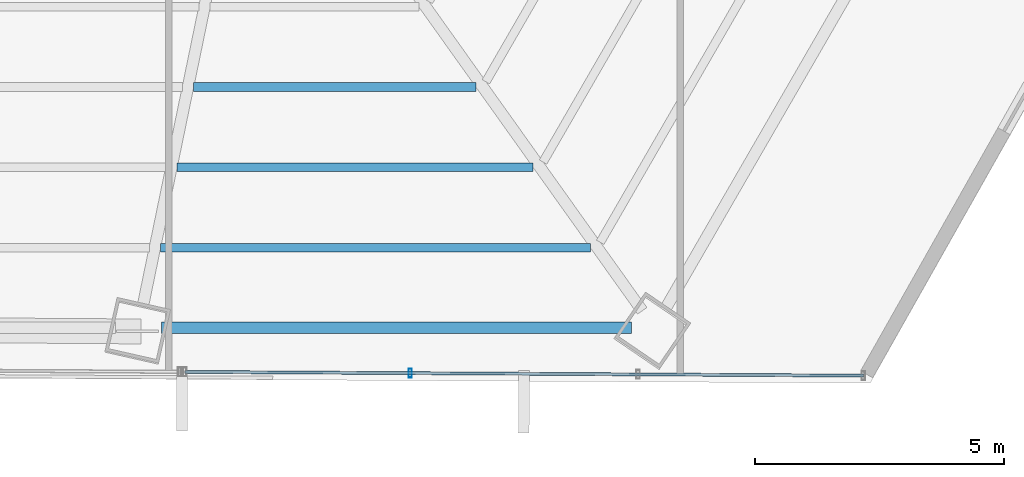
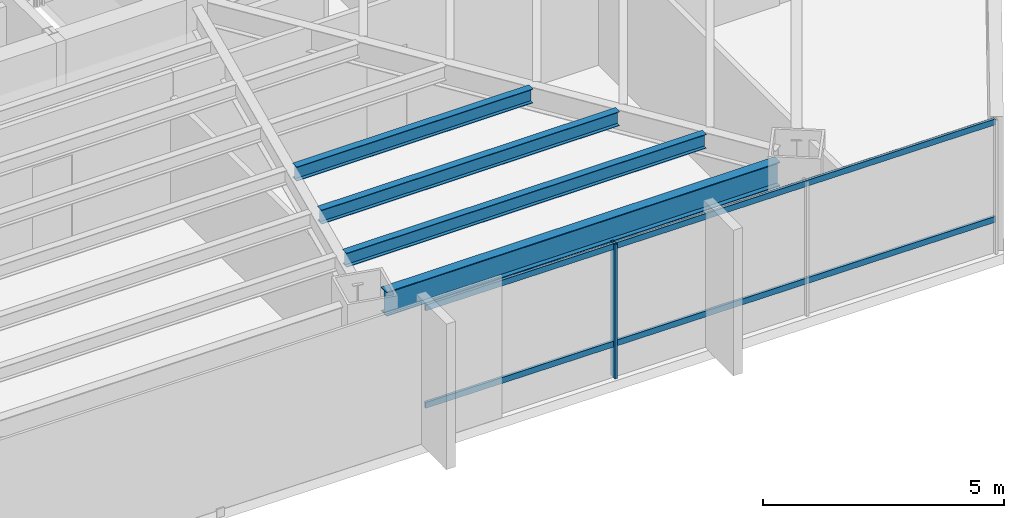
# One storey, part 15 of 35: 4 beams, 3 members, 1 element without a shape of its own.
"""IFC4 building model written with IfcOpenShell, lengths in metres."""

from ifc_helpers import new_model, si_unit, direction, frame, origin, origin_2d, place, context, subcontext, project, spatial, hollow_rectangle, i_section, extrude, source, transform, mapped, material, material_profile, profile_set, type_object, type_shapes, element, aggregate, save


model = new_model("IFC4")

# Units and contexts
model_context = context("Model", 3, precision=1e-05, world=origin(), true_north=direction((0.0, 1.0)))
body_context = subcontext(model_context, "Body", "Model", "MODEL_VIEW")
ifc_project = project(units=[si_unit("LENGTHUNIT", "METRE"), si_unit("AREAUNIT", "SQUARE_METRE"), si_unit("VOLUMEUNIT", "CUBIC_METRE"), si_unit("PLANEANGLEUNIT", "RADIAN"), si_unit("MASSUNIT", "GRAM", prefix="KILO")], contexts=[model_context])

# Site, building, storey
site_placement = place(None, origin())
site = spatial("IfcSite", under=ifc_project, at=site_placement, CompositionType="ELEMENT")
building_placement = place(site_placement, origin())
building = spatial("IfcBuilding", under=site, at=building_placement, Name="Caelisora Broadcast Tower", CompositionType="ELEMENT")
storey_placement = place(building_placement, frame((0.0, 0.0, 90.800048828125)))
storey = spatial("IfcBuildingStorey", under=building, at=storey_placement, Name="L23", CompositionType="ELEMENT", Elevation=90.800048828125)

# Beams
ifc_material_1 = material(Name="Steel Grade 350 (AS/NZS 3679.1)", Category="steel")
ifc_material_profile_1 = material_profile(ifc_material_1, i_section(OverallWidth=0.22900390625, OverallDepth=0.611572265625, WebThickness=0.011962890625, FlangeThickness=0.01953125, at=origin_2d()), Name="Steel Grade 350 (AS/NZS 3679.1)")
ifc_profile_set_1 = profile_set([ifc_material_profile_1], Name="Steel Grade 350 (AS/NZS 3679.1)")
beam_type_1 = type_object("IfcBeamType", Name="PG03", PredefinedType="BEAM", material=ifc_profile_set_1)
shared_shape_1 = source(origin(), body_context, "Body", "SweptSolid", [
    extrude(i_section(OverallWidth=0.22900390625, OverallDepth=0.611572265625, WebThickness=0.011962890625, FlangeThickness=0.01953125, at=origin_2d()), origin(), (0.0, 0.0, 1.0), 9.43505859375),
])
type_shapes(beam_type_1, [shared_shape_1])
beam_1_placement = place(storey_placement, frame((43.6376953125, 6.1240234375, 3.09423828125), z_axis=(1.0, 0.0, 0.0), x_axis=(0.0, 1.0, 0.0)))
element("IfcBeam", 1, at=beam_1_placement, inside=storey, type_object=beam_type_1, Name="L23 beam PG03", PredefinedType="BEAM", context=body_context, shape_type="MappedRepresentation", body=[
    mapped(shared_shape_1, transform((0.0, 0.0, 0.0), scale=1.0)),
])
ifc_material_profile_2 = material_profile(ifc_material_1, i_section(OverallWidth=0.172119140625, OverallDepth=0.358642578125, WebThickness=0.008056640625, FlangeThickness=0.012939453125, at=origin_2d()), Name="Steel Grade 350 (AS/NZS 3679.1)")
ifc_profile_set_2 = profile_set([ifc_material_profile_2], Name="Steel Grade 350 (AS/NZS 3679.1)")
beam_type_2 = type_object("IfcBeamType", Name="SB02", PredefinedType="JOIST", material=ifc_profile_set_2)
shared_shape_2 = source(origin(), body_context, "Body", "SweptSolid", [
    extrude(i_section(OverallWidth=0.172119140625, OverallDepth=0.358642578125, WebThickness=0.008056640625, FlangeThickness=0.012939453125, at=origin_2d()), origin(), (0.0, 0.0, 1.0), 5.666748046875),
])
beam_2_placement = place(storey_placement, frame((44.286376953125, 10.95654296875, 3.220703125), z_axis=(1.0, 0.0, 0.0), x_axis=(0.0, 1.0, 0.0)))
element("IfcBeam", 2, at=beam_2_placement, inside=storey, type_object=beam_type_2, Name="L23 beam SB02", PredefinedType="JOIST", context=body_context, shape_type="MappedRepresentation", body=[
    mapped(shared_shape_2, transform((0.0, 0.0, 0.0), scale=1.0)),
])
shared_shape_3 = source(origin(), body_context, "Body", "SweptSolid", [
    extrude(i_section(OverallWidth=0.172119140625, OverallDepth=0.358642578125, WebThickness=0.008056640625, FlangeThickness=0.012939453125, at=origin_2d()), origin(), (0.0, 0.0, 1.0), 7.14599609375),
])
beam_3_placement = place(storey_placement, frame((43.95458984375, 9.345703125, 3.220703125), z_axis=(1.0, 0.0, 0.0), x_axis=(0.0, 1.0, 0.0)))
element("IfcBeam", 3, at=beam_3_placement, inside=storey, type_object=beam_type_2, Name="L23 beam SB02", PredefinedType="JOIST", context=body_context, shape_type="MappedRepresentation", body=[
    mapped(shared_shape_3, transform((0.0, 0.0, 0.0), scale=1.0)),
])
shared_shape_4 = source(origin(), body_context, "Body", "SweptSolid", [
    extrude(i_section(OverallWidth=0.172119140625, OverallDepth=0.358642578125, WebThickness=0.008056640625, FlangeThickness=0.012939453125, at=origin_2d()), origin(), (0.0, 0.0, 1.0), 8.62548828125),
])
type_shapes(beam_type_2, [shared_shape_2, shared_shape_3, shared_shape_4])
beam_4_placement = place(storey_placement, frame((43.622802734375, 7.73486328125, 3.220703125), z_axis=(1.0, 0.0, 0.0), x_axis=(0.0, 1.0, 0.0)))
element("IfcBeam", 4, at=beam_4_placement, inside=storey, type_object=beam_type_2, Name="L23 beam SB02", PredefinedType="JOIST", context=body_context, shape_type="MappedRepresentation", body=[
    mapped(shared_shape_4, transform((0.0, 0.0, 0.0), scale=1.0)),
])

# Curtain wall, members
ifc_material_2 = material(Name="Unitised Aluminium and Low-E Glass Curtain Wall", Category="glass")
curtain_wall_type = type_object("IfcCurtainWallType", Name="CW-Z2", PredefinedType="NOTDEFINED", material=ifc_material_2)
curtain_wall_placement = place(storey_placement, origin())
curtain_wall = element("IfcCurtainWall", 5, at=curtain_wall_placement, inside=storey, type_object=curtain_wall_type, Name="L23 curtain wall CW-Z2", PredefinedType="NOTDEFINED")
ifc_material_3 = material(Name="Aluminium 6063-T6 Anodised Terracotta Bronze", Category="aluminium")
ifc_material_profile_3 = material_profile(ifc_material_3, hollow_rectangle(XDim=0.06494140625, YDim=0.179931640625, WallThickness=0.00341796875, at=origin_2d()), Name="Aluminium 6063-T6 Anodised Terracotta Bronze")
ifc_profile_set_3 = profile_set([ifc_material_profile_3], Name="Aluminium 6063-T6 Anodised Terracotta Bronze")
member_type_1 = type_object("IfcMemberType", Name="CWM-02", PredefinedType="MULLION", material=ifc_profile_set_3)
shared_shape_5 = source(origin(), body_context, "Body", "SweptSolid", [
    extrude(hollow_rectangle(XDim=0.06494140625, YDim=0.179931640625, WallThickness=0.00341796875, at=origin_2d()), origin(), (0.0, 0.0, 1.0), 3.39990234375),
])
type_shapes(member_type_1, [shared_shape_5])
member_1_placement = place(storey_placement, frame((48.6337890625, 5.214599609375, 0.0), z_axis=(0.0, 0.0, 1.0), x_axis=(1.0, 0.0, 0.0)))
member_1 = element("IfcMember", 6, at=member_1_placement, type_object=member_type_1, Name="L23-CW-B05 mullion #2", PredefinedType="MULLION", context=body_context, shape_type="MappedRepresentation", body=[
    mapped(shared_shape_5, transform((0.0, 0.0, 0.0), scale=1.0)),
])
ifc_material_profile_4 = material_profile(ifc_material_3, hollow_rectangle(XDim=0.06005859375, YDim=0.14990234375, WallThickness=0.00341796875, at=origin_2d()), Name="Aluminium 6063-T6 Anodised Terracotta Bronze")
ifc_profile_set_4 = profile_set([ifc_material_profile_4], Name="Aluminium 6063-T6 Anodised Terracotta Bronze")
member_type_2 = type_object("IfcMemberType", Name="CWT-02", PredefinedType="USERDEFINED", material=ifc_profile_set_4)
shared_shape_6 = source(origin(), body_context, "Body", "SweptSolid", [
    extrude(hollow_rectangle(XDim=0.06005859375, YDim=0.14990234375, WallThickness=0.00341796875, at=origin_2d()), origin(), (0.0, 0.0, 1.0), 13.616455078125),
])
type_shapes(member_type_2, [shared_shape_6])
member_2_placement = place(storey_placement, frame((57.72802734375, 5.164306640625, 0.849853515625), z_axis=(-0.999984652257, 0.005540329512, 0.0), x_axis=(-0.005540329512, -0.999984652257, 0.0)))
member_2 = element("IfcMember", 7, at=member_2_placement, type_object=member_type_2, Name="L23-CW-B05 transom #1", ObjectType="TRANSOM", PredefinedType="USERDEFINED", context=body_context, shape_type="MappedRepresentation", body=[
    mapped(shared_shape_6, transform((0.0, 0.0, 0.0), scale=1.0)),
])
member_3_placement = place(storey_placement, frame((57.72802734375, 5.164306640625, 3.320068359375), z_axis=(-0.999984652257, 0.005540329512, 0.0), x_axis=(-0.005540329512, -0.999984652257, 0.0)))
member_3 = element("IfcMember", 8, at=member_3_placement, type_object=member_type_2, Name="L23-CW-B05 transom #2", ObjectType="TRANSOM", PredefinedType="USERDEFINED", context=body_context, shape_type="MappedRepresentation", body=[
    mapped(shared_shape_6, transform((0.0, 0.0, 0.0), scale=1.0)),
])
aggregate(curtain_wall, [member_1, member_2, member_3])

save(model, "model.ifc")
